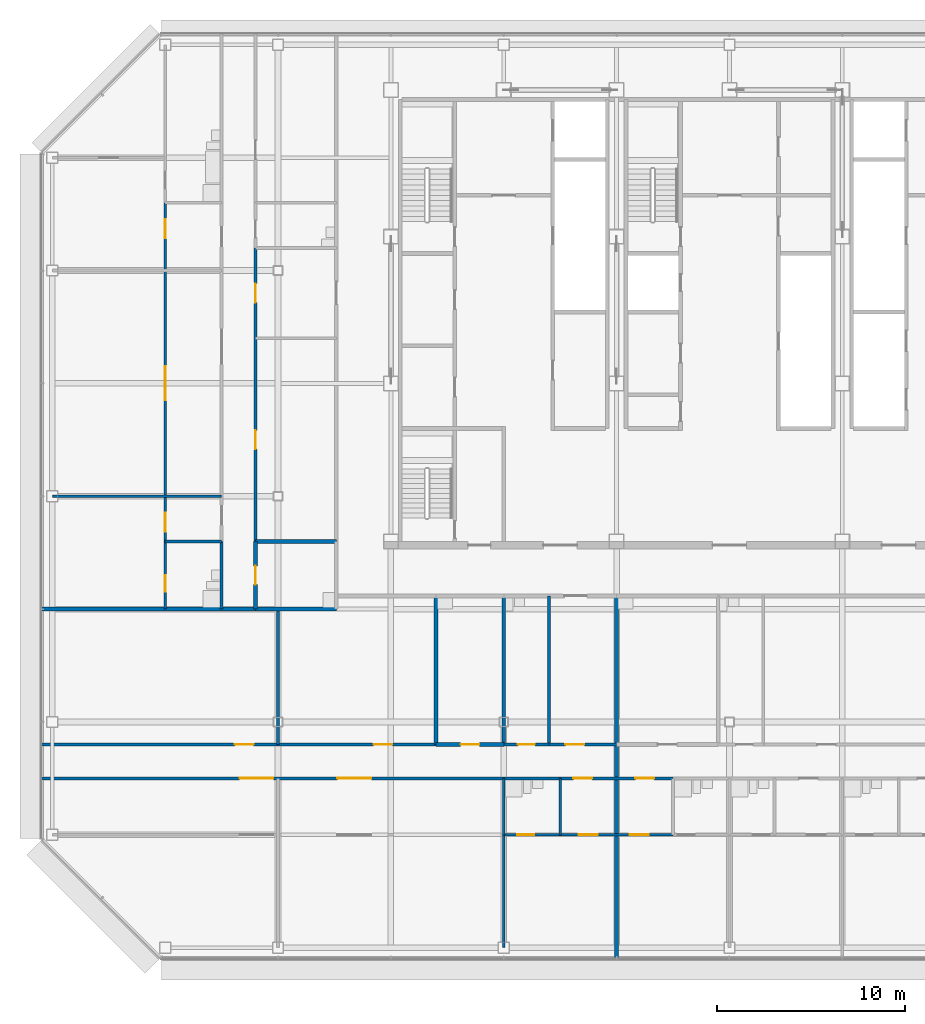
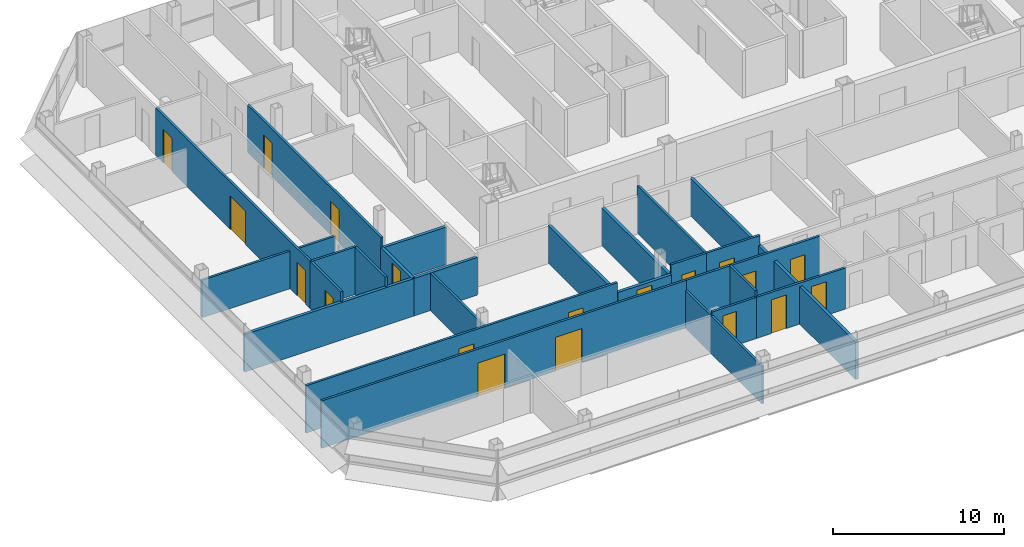
# One storey, part 21 of 28: 28 walls, 19 doors, 19 openings.
"""IFC4 building model written with IfcOpenShell, lengths in metres."""

from ifc_helpers import new_model, si_unit, direction, frame, frame_2d, origin, place, context, subcontext, project, spatial, rectangle, extrude, material, layer, layer_set, type_object, element, fill, save


model = new_model("IFC4")

# Units and contexts
model_context = context("Model", 3, precision=1e-05, world=origin(), true_north=direction((0.0, 1.0)))
body_context = subcontext(model_context, "Body", "Model", "MODEL_VIEW")
ifc_project = project(units=[si_unit("LENGTHUNIT", "METRE"), si_unit("AREAUNIT", "SQUARE_METRE"), si_unit("VOLUMEUNIT", "CUBIC_METRE"), si_unit("PLANEANGLEUNIT", "RADIAN"), si_unit("MASSUNIT", "GRAM", prefix="KILO")], contexts=[model_context])

# Site, building, storey
site_placement = place(None, origin())
site = spatial("IfcSite", under=ifc_project, at=site_placement, CompositionType="ELEMENT")
building_placement = place(site_placement, origin())
building = spatial("IfcBuilding", under=site, at=building_placement, Name="Sorahane Residences", CompositionType="ELEMENT")
storey_placement = place(building_placement, frame((0.0, 0.0, 254.0)))
storey = spatial("IfcBuildingStorey", under=building, at=storey_placement, Name="L60", CompositionType="ELEMENT", Elevation=254.0)

# Wall, opening, door
ifc_material_1 = material(Name="Concrete blockwork C20 wall", Category="masonry")
ifc_layer_1 = layer(ifc_material_1, 0.199951171875)
ifc_layer_set_1 = layer_set([ifc_layer_1], Name="Kitchen wall 200 EI 180")
wall_type_1 = type_object("IfcWallType", Name="Kitchen wall 200 EI 180", PredefinedType="SOLIDWALL", material=ifc_layer_set_1)
wall_1_placement = place(storey_placement, frame((-1.199951171875, 18.0, 0.0), z_axis=(0.0, 0.0, 1.0), x_axis=(0.0, 1.0, 0.0)))
wall_1 = element("IfcWall", 1, at=wall_1_placement, inside=storey, type_object=wall_type_1, Name="L60 kitchen wall", PredefinedType="SOLIDWALL", context=body_context, shape_type="SweptSolid", body=[
    extrude(rectangle(XDim=3.60009765625, YDim=0.199951171875, at=frame_2d((1.800048828125, 0.0))), origin(), (0.0, 0.0, 1.0), 2.679931640625),
])
opening_1_placement = place(wall_1_placement, frame((1.300048828125, 0.0, 0.0)))
opening_1 = element("IfcOpeningElement", 2, at=opening_1_placement, cuts=wall_1, Name="Opening L60-33", PredefinedType="OPENING", context=body_context, shape_type="SweptSolid", body=[
    extrude(rectangle(XDim=1.0, YDim=2.39990234375, at=frame_2d((0.5, 1.199951171875))), frame((0.0, 0.10986328125, 0.0), z_axis=(0.0, -1.0, 0.0), x_axis=(1.0, 0.0, 0.0)), (0.0, 0.0, 1.0), 0.219970703125),
])
ifc_material_2 = material(Name="Steel", Category="steel")
door_type_1 = type_object("IfcDoorType", Name="Kitchen door 1000x2400 FD120", OperationType="NOTDEFINED", PredefinedType="DOOR", material=ifc_material_2)
door_1_placement = place(opening_1_placement, frame((1.0, 0.0, 0.0), z_axis=(0.0, 0.0, 1.0), x_axis=(-1.0, 0.0, 0.0)))
door_1 = element("IfcDoor", 3, at=door_1_placement, inside=storey, type_object=door_type_1, Name="Kitchen door L60-33", OperationType="SINGLE_SWING_RIGHT", OverallHeight=2.39990234375, OverallWidth=1.0, PredefinedType="DOOR", context=body_context, shape_type="SweptSolid", body=[
    extrude(rectangle(XDim=1.0, YDim=2.39990234375, at=frame_2d((0.5, 1.199951171875))), frame((0.0, 0.02490234375, 0.0), z_axis=(0.0, -1.0, 0.0), x_axis=(1.0, 0.0, 0.0)), (0.0, 0.0, 1.0), 0.050048828125),
])
fill(opening_1, door_1)

# Walls
for number, where, z_axis, x_axis, name in (
    (4, (12.0, 10.800048828125, 0.0), (0.0, 0.0, 1.0), (0.0, 1.0, 0.0), "L60 kitchen wall"),
    (5, (18.0, 10.800048828125, 0.0), (0.0, 0.0, 1.0), (0.0, 1.0, 0.0), "L60 kitchen wall"),
    (6, (8.39990234375, 10.800048828125, 0.0), (0.0, 0.0, 1.0), (0.0, 1.0, 0.0), "L60 kitchen wall"),
):
    element("IfcWall", number, at=place(storey_placement, frame(where, z_axis=z_axis, x_axis=x_axis)), inside=storey, type_object=wall_type_1, Name=name, PredefinedType="SOLIDWALL", context=body_context, shape_type="SweptSolid", body=[
        extrude(rectangle(XDim=7.89990234375, YDim=0.199951171875, at=frame_2d((3.949951171875, 0.0))), origin(), (0.0, 0.0, 1.0), 2.679931640625),
    ])

# Wall, opening, door
wall_2_placement = place(storey_placement, frame((8.39990234375, 10.800048828125, 0.0), z_axis=(0.0, 0.0, 1.0), x_axis=(1.0, 0.0, 0.0)))
wall_2 = element("IfcWall", 7, at=wall_2_placement, inside=storey, type_object=wall_type_1, Name="L60 kitchen wall", PredefinedType="SOLIDWALL", context=body_context, shape_type="SweptSolid", body=[
    extrude(rectangle(XDim=3.60009765625, YDim=0.199951171875, at=frame_2d((1.800048828125, 0.0))), origin(), (0.0, 0.0, 1.0), 2.679931640625),
])
opening_2_placement = place(wall_2_placement, frame((1.300048828125, 0.0, 0.0)))
opening_2 = element("IfcOpeningElement", 8, at=opening_2_placement, cuts=wall_2, Name="Opening L60-04", PredefinedType="OPENING", context=body_context, shape_type="SweptSolid", body=[
    extrude(rectangle(XDim=1.0, YDim=2.39990234375, at=frame_2d((0.5, 1.199951171875))), frame((0.0, 0.10986328125, 0.0), z_axis=(0.0, -1.0, 0.0), x_axis=(1.0, 0.0, 0.0)), (0.0, 0.0, 1.0), 0.219970703125),
])
door_2_placement = place(opening_2_placement, origin())
door_2 = element("IfcDoor", 9, at=door_2_placement, inside=storey, type_object=door_type_1, Name="Kitchen door L60-04", OperationType="SINGLE_SWING_LEFT", OverallHeight=2.39990234375, OverallWidth=1.0, PredefinedType="DOOR", context=body_context, shape_type="SweptSolid", body=[
    extrude(rectangle(XDim=1.0, YDim=2.39990234375, at=frame_2d((0.5, 1.199951171875))), frame((0.0, 0.02490234375, 0.0), z_axis=(0.0, -1.0, 0.0), x_axis=(1.0, 0.0, 0.0)), (0.0, 0.0, 1.0), 0.050048828125),
])
fill(opening_2, door_2)

# Walls
for number, where, z_axis, x_axis, name in (
    (10, (-1.199951171875, 18.0, 0.0), (0.0, 0.0, 1.0), (1.0, 0.0, 0.0), "L60 kitchen wall"),
    (11, (-1.199951171875, 21.60009765625, 0.0), (0.0, 0.0, 1.0), (1.0, 0.0, 0.0), "L60 kitchen wall"),
):
    element("IfcWall", number, at=place(storey_placement, frame(where, z_axis=z_axis, x_axis=x_axis)), inside=storey, type_object=wall_type_1, Name=name, PredefinedType="SOLIDWALL", context=body_context, shape_type="SweptSolid", body=[
        extrude(rectangle(XDim=4.300048828125, YDim=0.199951171875, at=frame_2d((2.14990234375, 0.0))), origin(), (0.0, 0.0, 1.0), 2.679931640625),
    ])

# Wall, openings, doors
ifc_material_3 = material(Name="Gypsum board partition on steel studs", Category="steel")
ifc_layer_2 = layer(ifc_material_3, 0.14990234375)
ifc_layer_set_2 = layer_set([ifc_layer_2], Name="Partition 150 EI 90")
wall_type_2 = type_object("IfcWallType", Name="Partition 150 EI 90", PredefinedType="PARTITIONING", material=ifc_layer_set_2)
wall_3_placement = place(storey_placement, frame((-1.199951171875, 21.60009765625, 0.0), z_axis=(0.0, 0.0, 1.0), x_axis=(0.0, 1.0, 0.0)))
wall_3 = element("IfcWall", 12, at=wall_3_placement, inside=storey, type_object=wall_type_2, Name="L60 partition", PredefinedType="PARTITIONING", context=body_context, shape_type="SweptSolid", body=[
    extrude(rectangle(XDim=15.599853515625, YDim=0.14990234375, at=frame_2d((7.7998046875, 0.0))), origin(), (0.0, 0.0, 1.0), 3.3798828125),
])
opening_3_placement = place(wall_3_placement, frame((12.699951171875, 0.0, 0.0)))
opening_3 = element("IfcOpeningElement", 13, at=opening_3_placement, cuts=wall_3, Name="Opening L60-32", PredefinedType="OPENING", context=body_context, shape_type="SweptSolid", body=[
    extrude(rectangle(XDim=1.0, YDim=2.39990234375, at=frame_2d((0.5, 1.199951171875))), frame((0.0, 0.0849609375, 0.0), z_axis=(0.0, -1.0, 0.0), x_axis=(1.0, 0.0, 0.0)), (0.0, 0.0, 1.0), 0.169921875),
])
opening_4_placement = place(wall_3_placement, frame((4.89990234375, 0.0, 0.0)))
opening_4 = element("IfcOpeningElement", 14, at=opening_4_placement, cuts=wall_3, Name="Opening L60-34", PredefinedType="OPENING", context=body_context, shape_type="SweptSolid", body=[
    extrude(rectangle(XDim=1.0, YDim=2.39990234375, at=frame_2d((0.5, 1.199951171875))), frame((0.0, 0.0849609375, 0.0), z_axis=(0.0, -1.0, 0.0), x_axis=(1.0, 0.0, 0.0)), (0.0, 0.0, 1.0), 0.169921875),
])
ifc_material_4 = material(Name="Timber veneered fire door", Category="wood")
door_type_2 = type_object("IfcDoorType", Name="Room door 1000x2400 FD30", OperationType="NOTDEFINED", PredefinedType="DOOR", material=ifc_material_4)
door_3_placement = place(opening_3_placement, origin())
door_3 = element("IfcDoor", 15, at=door_3_placement, inside=storey, type_object=door_type_2, Name="Room door L60-32", OperationType="SINGLE_SWING_RIGHT", OverallHeight=2.39990234375, OverallWidth=1.0, PredefinedType="DOOR", context=body_context, shape_type="SweptSolid", body=[
    extrude(rectangle(XDim=1.0, YDim=2.39990234375, at=frame_2d((0.5, 1.199951171875))), frame((0.0, 0.02490234375, 0.0), z_axis=(0.0, -1.0, 0.0), x_axis=(1.0, 0.0, 0.0)), (0.0, 0.0, 1.0), 0.050048828125),
])
fill(opening_3, door_3)
door_4_placement = place(opening_4_placement, frame((1.0, 0.0, 0.0), z_axis=(0.0, 0.0, 1.0), x_axis=(-1.0, 0.0, 0.0)))
door_4 = element("IfcDoor", 16, at=door_4_placement, inside=storey, type_object=door_type_2, Name="Room door L60-34", OperationType="SINGLE_SWING_RIGHT", OverallHeight=2.39990234375, OverallWidth=1.0, PredefinedType="DOOR", context=body_context, shape_type="SweptSolid", body=[
    extrude(rectangle(XDim=1.0, YDim=2.39990234375, at=frame_2d((0.5, 1.199951171875))), frame((0.0, 0.02490234375, 0.0), z_axis=(0.0, -1.0, 0.0), x_axis=(1.0, 0.0, 0.0)), (0.0, 0.0, 1.0), 0.050048828125),
])
fill(opening_4, door_4)

wall_4_placement = place(storey_placement, frame((-6.0, 21.60009765625, 0.0), z_axis=(0.0, 0.0, 1.0), x_axis=(0.0, 1.0, 0.0)))
wall_4 = element("IfcWall", 17, at=wall_4_placement, inside=storey, type_object=wall_type_2, Name="L60 partition", PredefinedType="PARTITIONING", context=body_context, shape_type="SweptSolid", body=[
    extrude(rectangle(XDim=18.0, YDim=0.14990234375, at=frame_2d((9.0, 0.0))), origin(), (0.0, 0.0, 1.0), 3.3798828125),
])
opening_5_placement = place(wall_4_placement, frame((0.52001953125, 0.0, 0.0)))
opening_5 = element("IfcOpeningElement", 18, at=opening_5_placement, cuts=wall_4, Name="Opening L60-40", PredefinedType="OPENING", context=body_context, shape_type="SweptSolid", body=[
    extrude(rectangle(XDim=1.0, YDim=2.39990234375, at=frame_2d((0.5, 1.199951171875))), frame((0.0, 0.0849609375, 0.0), z_axis=(0.0, -1.0, 0.0), x_axis=(1.0, 0.0, 0.0)), (0.0, 0.0, 1.0), 0.169921875),
])
opening_6_placement = place(wall_4_placement, frame((7.5, 0.0, 0.0)))
opening_6 = element("IfcOpeningElement", 19, at=opening_6_placement, cuts=wall_4, Name="Opening L60-42", PredefinedType="OPENING", context=body_context, shape_type="SweptSolid", body=[
    extrude(rectangle(XDim=1.800048828125, YDim=2.39990234375, at=frame_2d((0.89990234375, 1.199951171875))), frame((0.0, 0.0849609375, 0.0), z_axis=(0.0, -1.0, 0.0), x_axis=(1.0, 0.0, 0.0)), (0.0, 0.0, 1.0), 0.169921875),
])
opening_7_placement = place(wall_4_placement, frame((16.1201171875, 0.0, 0.0)))
opening_7 = element("IfcOpeningElement", 20, at=opening_7_placement, cuts=wall_4, Name="Opening L60-43", PredefinedType="OPENING", context=body_context, shape_type="SweptSolid", body=[
    extrude(rectangle(XDim=1.0, YDim=2.39990234375, at=frame_2d((0.5, 1.199951171875))), frame((0.0, 0.0849609375, 0.0), z_axis=(0.0, -1.0, 0.0), x_axis=(1.0, 0.0, 0.0)), (0.0, 0.0, 1.0), 0.169921875),
])
ifc_material_5 = material(Name="Timber veneered fire door", Category="wood")
door_type_3 = type_object("IfcDoorType", Name="Double door 1800x2400 FD30", OperationType="NOTDEFINED", PredefinedType="DOOR", material=ifc_material_5)
door_5_placement = place(opening_6_placement, origin())
door_5 = element("IfcDoor", 21, at=door_5_placement, inside=storey, type_object=door_type_3, Name="Double door L60-42", OperationType="SINGLE_SWING_LEFT", OverallHeight=2.39990234375, OverallWidth=1.800048828125, PredefinedType="DOOR", context=body_context, shape_type="SweptSolid", body=[
    extrude(rectangle(XDim=1.800048828125, YDim=2.39990234375, at=frame_2d((0.89990234375, 1.199951171875))), frame((0.0, 0.02490234375, 0.0), z_axis=(0.0, -1.0, 0.0), x_axis=(1.0, 0.0, 0.0)), (0.0, 0.0, 1.0), 0.050048828125),
])
fill(opening_6, door_5)
door_6_placement = place(opening_5_placement, origin())
door_6 = element("IfcDoor", 22, at=door_6_placement, inside=storey, type_object=door_type_2, Name="Room door L60-40", OperationType="SINGLE_SWING_RIGHT", OverallHeight=2.39990234375, OverallWidth=1.0, PredefinedType="DOOR", context=body_context, shape_type="SweptSolid", body=[
    extrude(rectangle(XDim=1.0, YDim=2.39990234375, at=frame_2d((0.5, 1.199951171875))), frame((0.0, 0.02490234375, 0.0), z_axis=(0.0, -1.0, 0.0), x_axis=(1.0, 0.0, 0.0)), (0.0, 0.0, 1.0), 0.050048828125),
])
fill(opening_5, door_6)
door_7_placement = place(opening_7_placement, origin())
door_7 = element("IfcDoor", 23, at=door_7_placement, inside=storey, type_object=door_type_2, Name="Room door L60-43", OperationType="SINGLE_SWING_RIGHT", OverallHeight=2.39990234375, OverallWidth=1.0, PredefinedType="DOOR", context=body_context, shape_type="SweptSolid", body=[
    extrude(rectangle(XDim=1.0, YDim=2.39990234375, at=frame_2d((0.5, 1.199951171875))), frame((0.0, 0.02490234375, 0.0), z_axis=(0.0, -1.0, 0.0), x_axis=(1.0, 0.0, 0.0)), (0.0, 0.0, 1.0), 0.050048828125),
])
fill(opening_7, door_7)

# Walls
wall_5_placement = place(storey_placement, frame((0.0, 10.800048828125, 0.0), z_axis=(0.0, 0.0, 1.0), x_axis=(0.0, 1.0, 0.0)))
element("IfcWall", 24, at=wall_5_placement, inside=storey, type_object=wall_type_2, Name="L60 partition", PredefinedType="PARTITIONING", context=body_context, shape_type="SweptSolid", body=[
    extrude(rectangle(XDim=7.199951171875, YDim=0.14990234375, at=frame_2d((3.60009765625, 0.0))), origin(), (0.0, 0.0, 1.0), 2.679931640625),
])
wall_6_placement = place(storey_placement, frame((12.0, 0.0, 0.0), z_axis=(0.0, 0.0, 1.0), x_axis=(0.0, 1.0, 0.0)))
element("IfcWall", 25, at=wall_6_placement, inside=storey, type_object=wall_type_2, Name="L60 partition", PredefinedType="PARTITIONING", context=body_context, shape_type="SweptSolid", body=[
    extrude(rectangle(XDim=6.0, YDim=0.14990234375, at=frame_2d((3.0, 0.0))), origin(), (0.0, 0.0, 1.0), 2.679931640625),
])

# Wall, openings, doors
wall_7_placement = place(storey_placement, frame((-12.60009765625, 10.800048828125, 0.0), z_axis=(0.0, 0.0, 1.0), x_axis=(1.0, 0.0, 0.0)))
wall_7 = element("IfcWall", 26, at=wall_7_placement, inside=storey, type_object=wall_type_2, Name="L60 partition", PredefinedType="PARTITIONING", context=body_context, shape_type="SweptSolid", body=[
    extrude(rectangle(XDim=21.0, YDim=0.14990234375, at=frame_2d((10.5, 0.0))), origin(), (0.0, 0.0, 1.0), 3.3798828125),
])
opening_8_placement = place(wall_7_placement, frame((10.300048828125, 0.0, 0.0)))
opening_8 = element("IfcOpeningElement", 27, at=opening_8_placement, cuts=wall_7, Name="Opening L60-02", PredefinedType="OPENING", context=body_context, shape_type="SweptSolid", body=[
    extrude(rectangle(XDim=1.0, YDim=2.39990234375, at=frame_2d((0.5, 1.199951171875))), frame((0.0, 0.0849609375, 0.0), z_axis=(0.0, -1.0, 0.0), x_axis=(1.0, 0.0, 0.0)), (0.0, 0.0, 1.0), 0.169921875),
])
opening_9_placement = place(wall_7_placement, frame((17.679931640625, 0.0, 0.0)))
opening_9 = element("IfcOpeningElement", 28, at=opening_9_placement, cuts=wall_7, Name="Opening L60-03", PredefinedType="OPENING", context=body_context, shape_type="SweptSolid", body=[
    extrude(rectangle(XDim=1.0, YDim=2.39990234375, at=frame_2d((0.5, 1.199951171875))), frame((0.0, 0.0849609375, 0.0), z_axis=(0.0, -1.0, 0.0), x_axis=(1.0, 0.0, 0.0)), (0.0, 0.0, 1.0), 0.169921875),
])
door_8_placement = place(opening_8_placement, origin())
door_8 = element("IfcDoor", 29, at=door_8_placement, inside=storey, type_object=door_type_2, Name="Room door L60-02", OperationType="SINGLE_SWING_LEFT", OverallHeight=2.39990234375, OverallWidth=1.0, PredefinedType="DOOR", context=body_context, shape_type="SweptSolid", body=[
    extrude(rectangle(XDim=1.0, YDim=2.39990234375, at=frame_2d((0.5, 1.199951171875))), frame((0.0, 0.02490234375, 0.0), z_axis=(0.0, -1.0, 0.0), x_axis=(1.0, 0.0, 0.0)), (0.0, 0.0, 1.0), 0.050048828125),
])
fill(opening_8, door_8)
door_9_placement = place(opening_9_placement, origin())
door_9 = element("IfcDoor", 30, at=door_9_placement, inside=storey, type_object=door_type_2, Name="Room door L60-03", OperationType="SINGLE_SWING_LEFT", OverallHeight=2.39990234375, OverallWidth=1.0, PredefinedType="DOOR", context=body_context, shape_type="SweptSolid", body=[
    extrude(rectangle(XDim=1.0, YDim=2.39990234375, at=frame_2d((0.5, 1.199951171875))), frame((0.0, 0.02490234375, 0.0), z_axis=(0.0, -1.0, 0.0), x_axis=(1.0, 0.0, 0.0)), (0.0, 0.0, 1.0), 0.050048828125),
])
fill(opening_9, door_9)

# Wall, opening, door
wall_8_placement = place(storey_placement, frame((14.39990234375, 10.800048828125, 0.0), z_axis=(0.0, 0.0, 1.0), x_axis=(1.0, 0.0, 0.0)))
wall_8 = element("IfcWall", 31, at=wall_8_placement, inside=storey, type_object=wall_type_2, Name="L60 partition", PredefinedType="PARTITIONING", context=body_context, shape_type="SweptSolid", body=[
    extrude(rectangle(XDim=3.60009765625, YDim=0.14990234375, at=frame_2d((1.800048828125, 0.0))), origin(), (0.0, 0.0, 1.0), 3.3798828125),
])
opening_10_placement = place(wall_8_placement, frame((0.8798828125, 0.0, 0.0)))
opening_10 = element("IfcOpeningElement", 32, at=opening_10_placement, cuts=wall_8, Name="Opening L60-01", PredefinedType="OPENING", context=body_context, shape_type="SweptSolid", body=[
    extrude(rectangle(XDim=1.0, YDim=2.39990234375, at=frame_2d((0.5, 1.199951171875))), frame((0.0, 0.0849609375, 0.0), z_axis=(0.0, -1.0, 0.0), x_axis=(1.0, 0.0, 0.0)), (0.0, 0.0, 1.0), 0.169921875),
])
door_10_placement = place(opening_10_placement, frame((1.0, 0.0, 0.0), z_axis=(0.0, 0.0, 1.0), x_axis=(-1.0, 0.0, 0.0)))
door_10 = element("IfcDoor", 33, at=door_10_placement, inside=storey, type_object=door_type_2, Name="Room door L60-01", OperationType="SINGLE_SWING_RIGHT", OverallHeight=2.39990234375, OverallWidth=1.0, PredefinedType="DOOR", context=body_context, shape_type="SweptSolid", body=[
    extrude(rectangle(XDim=1.0, YDim=2.39990234375, at=frame_2d((0.5, 1.199951171875))), frame((0.0, 0.02490234375, 0.0), z_axis=(0.0, -1.0, 0.0), x_axis=(1.0, 0.0, 0.0)), (0.0, 0.0, 1.0), 0.050048828125),
])
fill(opening_10, door_10)

# Wall
wall_9_placement = place(storey_placement, frame((-12.0, 24.0, 0.0), z_axis=(0.0, 0.0, 1.0), x_axis=(1.0, 0.0, 0.0)))
element("IfcWall", 34, at=wall_9_placement, inside=storey, type_object=wall_type_2, Name="L60 partition", PredefinedType="PARTITIONING", context=body_context, shape_type="SweptSolid", body=[
    extrude(rectangle(XDim=9.0, YDim=0.14990234375, at=frame_2d((4.5, 0.0))), origin(), (0.0, 0.0, 1.0), 2.679931640625),
])

# Wall, openings, doors
wall_10_placement = place(storey_placement, frame((15.0, 6.0, 0.0), z_axis=(0.0, 0.0, 1.0), x_axis=(1.0, 0.0, 0.0)))
wall_10 = element("IfcWall", 35, at=wall_10_placement, inside=storey, type_object=wall_type_2, Name="L60 partition", PredefinedType="PARTITIONING", context=body_context, shape_type="SweptSolid", body=[
    extrude(rectangle(XDim=6.0, YDim=0.14990234375, at=frame_2d((3.0, 0.0))), origin(), (0.0, 0.0, 1.0), 2.929931640625),
])
opening_11_placement = place(wall_10_placement, frame((1.0, 0.0, 0.0)))
opening_11 = element("IfcOpeningElement", 36, at=opening_11_placement, cuts=wall_10, Name="Opening L60-11", PredefinedType="OPENING", context=body_context, shape_type="SweptSolid", body=[
    extrude(rectangle(XDim=1.0, YDim=2.39990234375, at=frame_2d((0.5, 1.199951171875))), frame((0.0, 0.0849609375, 0.0), z_axis=(0.0, -1.0, 0.0), x_axis=(1.0, 0.0, 0.0)), (0.0, 0.0, 1.0), 0.169921875),
])
opening_12_placement = place(wall_10_placement, frame((3.699951171875, 0.0, 0.0)))
opening_12 = element("IfcOpeningElement", 37, at=opening_12_placement, cuts=wall_10, Name="Opening L60-23", PredefinedType="OPENING", context=body_context, shape_type="SweptSolid", body=[
    extrude(rectangle(XDim=1.0, YDim=2.39990234375, at=frame_2d((0.5, 1.199951171875))), frame((0.0, 0.0849609375, 0.0), z_axis=(0.0, -1.0, 0.0), x_axis=(1.0, 0.0, 0.0)), (0.0, 0.0, 1.0), 0.169921875),
])
door_11_placement = place(opening_11_placement, frame((1.0, 0.0, 0.0), z_axis=(0.0, 0.0, 1.0), x_axis=(-1.0, 0.0, 0.0)))
door_11 = element("IfcDoor", 38, at=door_11_placement, inside=storey, type_object=door_type_2, Name="Room door L60-11", OperationType="SINGLE_SWING_RIGHT", OverallHeight=2.39990234375, OverallWidth=1.0, PredefinedType="DOOR", context=body_context, shape_type="SweptSolid", body=[
    extrude(rectangle(XDim=1.0, YDim=2.39990234375, at=frame_2d((0.5, 1.199951171875))), frame((0.0, 0.02490234375, 0.0), z_axis=(0.0, -1.0, 0.0), x_axis=(1.0, 0.0, 0.0)), (0.0, 0.0, 1.0), 0.050048828125),
])
fill(opening_11, door_11)
door_12_placement = place(opening_12_placement, frame((1.0, 0.0, 0.0), z_axis=(0.0, 0.0, 1.0), x_axis=(-1.0, 0.0, 0.0)))
door_12 = element("IfcDoor", 39, at=door_12_placement, inside=storey, type_object=door_type_2, Name="Room door L60-23", OperationType="SINGLE_SWING_RIGHT", OverallHeight=2.39990234375, OverallWidth=1.0, PredefinedType="DOOR", context=body_context, shape_type="SweptSolid", body=[
    extrude(rectangle(XDim=1.0, YDim=2.39990234375, at=frame_2d((0.5, 1.199951171875))), frame((0.0, 0.02490234375, 0.0), z_axis=(0.0, -1.0, 0.0), x_axis=(1.0, 0.0, 0.0)), (0.0, 0.0, 1.0), 0.050048828125),
])
fill(opening_12, door_12)

wall_11_placement = place(storey_placement, frame((-12.60009765625, 9.0, 0.0), z_axis=(0.0, 0.0, 1.0), x_axis=(1.0, 0.0, 0.0)))
wall_11 = element("IfcWall", 40, at=wall_11_placement, inside=storey, type_object=wall_type_2, Name="L60 partition", PredefinedType="PARTITIONING", context=body_context, shape_type="SweptSolid", body=[
    extrude(rectangle(XDim=24.60009765625, YDim=0.14990234375, at=frame_2d((12.300048828125, 0.0))), origin(), (0.0, 0.0, 1.0), 3.3798828125),
])
opening_13_placement = place(wall_11_placement, frame((10.550048828125, 0.0, 0.0)))
opening_13 = element("IfcOpeningElement", 41, at=opening_13_placement, cuts=wall_11, Name="Opening L60-06", PredefinedType="OPENING", context=body_context, shape_type="SweptSolid", body=[
    extrude(rectangle(XDim=1.800048828125, YDim=2.39990234375, at=frame_2d((0.89990234375, 1.199951171875))), frame((0.0, 0.0849609375, 0.0), z_axis=(0.0, -1.0, 0.0), x_axis=(1.0, 0.0, 0.0)), (0.0, 0.0, 1.0), 0.169921875),
])
opening_14_placement = place(wall_11_placement, frame((15.760009765625, 0.0, 0.0)))
opening_14 = element("IfcOpeningElement", 42, at=opening_14_placement, cuts=wall_11, Name="Opening L60-07", PredefinedType="OPENING", context=body_context, shape_type="SweptSolid", body=[
    extrude(rectangle(XDim=1.800048828125, YDim=2.39990234375, at=frame_2d((0.89990234375, 1.199951171875))), frame((0.0, 0.0849609375, 0.0), z_axis=(0.0, -1.0, 0.0), x_axis=(1.0, 0.0, 0.0)), (0.0, 0.0, 1.0), 0.169921875),
])
door_13_placement = place(opening_13_placement, frame((1.800048828125, 0.0, 0.0), z_axis=(0.0, 0.0, 1.0), x_axis=(-1.0, 0.0, 0.0)))
door_13 = element("IfcDoor", 43, at=door_13_placement, inside=storey, type_object=door_type_3, Name="Double door L60-06", OperationType="SINGLE_SWING_RIGHT", OverallHeight=2.39990234375, OverallWidth=1.800048828125, PredefinedType="DOOR", context=body_context, shape_type="SweptSolid", body=[
    extrude(rectangle(XDim=1.800048828125, YDim=2.39990234375, at=frame_2d((0.89990234375, 1.199951171875))), frame((0.0, 0.02490234375, 0.0), z_axis=(0.0, -1.0, 0.0), x_axis=(1.0, 0.0, 0.0)), (0.0, 0.0, 1.0), 0.050048828125),
])
fill(opening_13, door_13)
door_14_placement = place(opening_14_placement, frame((1.800048828125, 0.0, 0.0), z_axis=(0.0, 0.0, 1.0), x_axis=(-1.0, 0.0, 0.0)))
door_14 = element("IfcDoor", 44, at=door_14_placement, inside=storey, type_object=door_type_3, Name="Double door L60-07", OperationType="SINGLE_SWING_LEFT", OverallHeight=2.39990234375, OverallWidth=1.800048828125, PredefinedType="DOOR", context=body_context, shape_type="SweptSolid", body=[
    extrude(rectangle(XDim=1.800048828125, YDim=2.39990234375, at=frame_2d((0.89990234375, 1.199951171875))), frame((0.0, 0.02490234375, 0.0), z_axis=(0.0, -1.0, 0.0), x_axis=(1.0, 0.0, 0.0)), (0.0, 0.0, 1.0), 0.050048828125),
])
fill(opening_14, door_14)

wall_12_placement = place(storey_placement, frame((15.0, 9.0, 0.0), z_axis=(0.0, 0.0, 1.0), x_axis=(1.0, 0.0, 0.0)))
wall_12 = element("IfcWall", 45, at=wall_12_placement, inside=storey, type_object=wall_type_2, Name="L60 partition", PredefinedType="PARTITIONING", context=body_context, shape_type="SweptSolid", body=[
    extrude(rectangle(XDim=6.0, YDim=0.14990234375, at=frame_2d((3.0, 0.0))), origin(), (0.0, 0.0, 1.0), 3.3798828125),
])
opening_15_placement = place(wall_12_placement, frame((0.699951171875, 0.0, 0.0)))
opening_15 = element("IfcOpeningElement", 46, at=opening_15_placement, cuts=wall_12, Name="Opening L60-08", PredefinedType="OPENING", context=body_context, shape_type="SweptSolid", body=[
    extrude(rectangle(XDim=1.0, YDim=2.39990234375, at=frame_2d((0.5, 1.199951171875))), frame((0.0, 0.0849609375, 0.0), z_axis=(0.0, -1.0, 0.0), x_axis=(1.0, 0.0, 0.0)), (0.0, 0.0, 1.0), 0.169921875),
])
opening_16_placement = place(wall_12_placement, frame((4.0, 0.0, 0.0)))
opening_16 = element("IfcOpeningElement", 47, at=opening_16_placement, cuts=wall_12, Name="Opening L60-18", PredefinedType="OPENING", context=body_context, shape_type="SweptSolid", body=[
    extrude(rectangle(XDim=1.0, YDim=2.39990234375, at=frame_2d((0.5, 1.199951171875))), frame((0.0, 0.0849609375, 0.0), z_axis=(0.0, -1.0, 0.0), x_axis=(1.0, 0.0, 0.0)), (0.0, 0.0, 1.0), 0.169921875),
])
door_15_placement = place(opening_15_placement, frame((1.0, 0.0, 0.0), z_axis=(0.0, 0.0, 1.0), x_axis=(-1.0, 0.0, 0.0)))
door_15 = element("IfcDoor", 48, at=door_15_placement, inside=storey, type_object=door_type_2, Name="Room door L60-08", OperationType="SINGLE_SWING_RIGHT", OverallHeight=2.39990234375, OverallWidth=1.0, PredefinedType="DOOR", context=body_context, shape_type="SweptSolid", body=[
    extrude(rectangle(XDim=1.0, YDim=2.39990234375, at=frame_2d((0.5, 1.199951171875))), frame((0.0, 0.02490234375, 0.0), z_axis=(0.0, -1.0, 0.0), x_axis=(1.0, 0.0, 0.0)), (0.0, 0.0, 1.0), 0.050048828125),
])
fill(opening_15, door_15)
door_16_placement = place(opening_16_placement, frame((1.0, 0.0, 0.0), z_axis=(0.0, 0.0, 1.0), x_axis=(-1.0, 0.0, 0.0)))
door_16 = element("IfcDoor", 49, at=door_16_placement, inside=storey, type_object=door_type_2, Name="Room door L60-18", OperationType="SINGLE_SWING_LEFT", OverallHeight=2.39990234375, OverallWidth=1.0, PredefinedType="DOOR", context=body_context, shape_type="SweptSolid", body=[
    extrude(rectangle(XDim=1.0, YDim=2.39990234375, at=frame_2d((0.5, 1.199951171875))), frame((0.0, 0.02490234375, 0.0), z_axis=(0.0, -1.0, 0.0), x_axis=(1.0, 0.0, 0.0)), (0.0, 0.0, 1.0), 0.050048828125),
])
fill(opening_16, door_16)

# Walls
ifc_material_6 = material(Name="Concrete blockwork C20 wall", Category="masonry")
ifc_layer_3 = layer(ifc_material_6, 0.199951171875)
ifc_layer_set_3 = layer_set([ifc_layer_3], Name="Party wall 200 EI 120")
wall_type_3 = type_object("IfcWallType", Name="Party wall 200 EI 120", PredefinedType="SOLIDWALL", material=ifc_layer_set_3)
for number, where, z_axis, x_axis, name in (
    (50, (18.0, -0.60009765625, 0.0), (0.0, 0.0, 1.0), (0.0, 1.0, 0.0), "L60 party wall"),
    (51, (-12.60009765625, 18.0, 0.0), (0.0, 0.0, 1.0), (1.0, 0.0, 0.0), "L60 party wall"),
):
    element("IfcWall", number, at=place(storey_placement, frame(where, z_axis=z_axis, x_axis=x_axis)), inside=storey, type_object=wall_type_3, Name=name, PredefinedType="SOLIDWALL", context=body_context, shape_type="SweptSolid", body=[
        extrude(rectangle(XDim=11.400146484375, YDim=0.199951171875, at=frame_2d((5.7001953125, 0.0))), origin(), (0.0, 0.0, 1.0), 2.679931640625),
    ])
ifc_material_7 = material(Name="Gypsum board partition on steel studs", Category="steel")
ifc_layer_4 = layer(ifc_material_7, 0.14990234375)
ifc_layer_set_4 = layer_set([ifc_layer_4], Name="Wet wall 150 EI 90")
wall_type_4 = type_object("IfcWallType", Name="Wet wall 150 EI 90", PredefinedType="PARTITIONING", material=ifc_layer_set_4)
wall_13_placement = place(storey_placement, frame((-3.0, 18.0, 0.0), z_axis=(0.0, 0.0, 1.0), x_axis=(0.0, 1.0, 0.0)))
element("IfcWall", 52, at=wall_13_placement, inside=storey, type_object=wall_type_4, Name="L60 wet wall", PredefinedType="PARTITIONING", context=body_context, shape_type="SweptSolid", body=[
    extrude(rectangle(XDim=3.60009765625, YDim=0.14990234375, at=frame_2d((1.800048828125, 0.0))), origin(), (0.0, 0.0, 1.0), 3.3798828125),
])

# Wall, opening, door
wall_14_placement = place(storey_placement, frame((-6.0, 18.0, 0.0), z_axis=(0.0, 0.0, 1.0), x_axis=(0.0, 1.0, 0.0)))
wall_14 = element("IfcWall", 53, at=wall_14_placement, inside=storey, type_object=wall_type_4, Name="L60 wet wall", PredefinedType="PARTITIONING", context=body_context, shape_type="SweptSolid", body=[
    extrude(rectangle(XDim=3.60009765625, YDim=0.14990234375, at=frame_2d((1.800048828125, 0.0))), origin(), (0.0, 0.0, 1.0), 3.3798828125),
])
opening_17_placement = place(wall_14_placement, frame((0.909912109375, 0.0, 0.0)))
opening_17 = element("IfcOpeningElement", 54, at=opening_17_placement, cuts=wall_14, Name="Opening L60-41", PredefinedType="OPENING", context=body_context, shape_type="SweptSolid", body=[
    extrude(rectangle(XDim=0.89990234375, YDim=2.39990234375, at=frame_2d((0.449951171875, 1.199951171875))), frame((0.0, 0.0849609375, 0.0), z_axis=(0.0, -1.0, 0.0), x_axis=(1.0, 0.0, 0.0)), (0.0, 0.0, 1.0), 0.169921875),
])
ifc_material_8 = material(Name="Timber veneered fire door", Category="wood")
door_type_4 = type_object("IfcDoorType", Name="Bathroom door 900x2400 FD30", OperationType="NOTDEFINED", PredefinedType="DOOR", material=ifc_material_8)
door_17_placement = place(opening_17_placement, origin())
door_17 = element("IfcDoor", 55, at=door_17_placement, inside=storey, type_object=door_type_4, Name="Bathroom door L60-41", OperationType="SINGLE_SWING_LEFT", OverallHeight=2.39990234375, OverallWidth=0.89990234375, PredefinedType="DOOR", context=body_context, shape_type="SweptSolid", body=[
    extrude(rectangle(XDim=0.89990234375, YDim=2.39990234375, at=frame_2d((0.449951171875, 1.199951171875))), frame((0.0, 0.02490234375, 0.0), z_axis=(0.0, -1.0, 0.0), x_axis=(1.0, 0.0, 0.0)), (0.0, 0.0, 1.0), 0.050048828125),
])
fill(opening_17, door_17)

# Walls
wall_15_placement = place(storey_placement, frame((12.0, 6.0, 0.0), z_axis=(0.0, 0.0, 1.0), x_axis=(0.0, 1.0, 0.0)))
element("IfcWall", 56, at=wall_15_placement, inside=storey, type_object=wall_type_4, Name="L60 wet wall", PredefinedType="PARTITIONING", context=body_context, shape_type="SweptSolid", body=[
    extrude(rectangle(XDim=3.0, YDim=0.14990234375, at=frame_2d((1.5, 0.0))), origin(), (0.0, 0.0, 1.0), 2.679931640625),
])
wall_16_placement = place(storey_placement, frame((14.39990234375, 10.800048828125, 0.0), z_axis=(0.0, 0.0, 1.0), x_axis=(0.0, 1.0, 0.0)))
element("IfcWall", 57, at=wall_16_placement, inside=storey, type_object=wall_type_4, Name="L60 wet wall", PredefinedType="PARTITIONING", context=body_context, shape_type="SweptSolid", body=[
    extrude(rectangle(XDim=7.89990234375, YDim=0.14990234375, at=frame_2d((3.949951171875, 0.0))), origin(), (0.0, 0.0, 1.0), 3.3798828125),
])
wall_17_placement = place(storey_placement, frame((15.0, 6.0, 0.0), z_axis=(0.0, 0.0, 1.0), x_axis=(0.0, 1.0, 0.0)))
element("IfcWall", 58, at=wall_17_placement, inside=storey, type_object=wall_type_4, Name="L60 wet wall", PredefinedType="PARTITIONING", context=body_context, shape_type="SweptSolid", body=[
    extrude(rectangle(XDim=3.0, YDim=0.14990234375, at=frame_2d((1.5, 0.0))), origin(), (0.0, 0.0, 1.0), 3.3798828125),
])

# Wall, opening, door
wall_18_placement = place(storey_placement, frame((12.0, 10.800048828125, 0.0), z_axis=(0.0, 0.0, 1.0), x_axis=(1.0, 0.0, 0.0)))
wall_18 = element("IfcWall", 59, at=wall_18_placement, inside=storey, type_object=wall_type_4, Name="L60 wet wall", PredefinedType="PARTITIONING", context=body_context, shape_type="SweptSolid", body=[
    extrude(rectangle(XDim=2.39990234375, YDim=0.14990234375, at=frame_2d((1.199951171875, 0.0))), origin(), (0.0, 0.0, 1.0), 3.3798828125),
])
opening_18_placement = place(wall_18_placement, frame((0.75, 0.0, 0.0)))
opening_18 = element("IfcOpeningElement", 60, at=opening_18_placement, cuts=wall_18, Name="Opening L60-05", PredefinedType="OPENING", context=body_context, shape_type="SweptSolid", body=[
    extrude(rectangle(XDim=0.89990234375, YDim=2.39990234375, at=frame_2d((0.449951171875, 1.199951171875))), frame((0.0, 0.0849609375, 0.0), z_axis=(0.0, -1.0, 0.0), x_axis=(1.0, 0.0, 0.0)), (0.0, 0.0, 1.0), 0.169921875),
])
door_18_placement = place(opening_18_placement, frame((0.89990234375, 0.0, 0.0), z_axis=(0.0, 0.0, 1.0), x_axis=(-1.0, 0.0, 0.0)))
door_18 = element("IfcDoor", 61, at=door_18_placement, inside=storey, type_object=door_type_4, Name="Bathroom door L60-05", OperationType="SINGLE_SWING_RIGHT", OverallHeight=2.39990234375, OverallWidth=0.89990234375, PredefinedType="DOOR", context=body_context, shape_type="SweptSolid", body=[
    extrude(rectangle(XDim=0.89990234375, YDim=2.39990234375, at=frame_2d((0.449951171875, 1.199951171875))), frame((0.0, 0.02490234375, 0.0), z_axis=(0.0, -1.0, 0.0), x_axis=(1.0, 0.0, 0.0)), (0.0, 0.0, 1.0), 0.050048828125),
])
fill(opening_18, door_18)

# Wall
wall_19_placement = place(storey_placement, frame((-6.0, 21.60009765625, 0.0), z_axis=(0.0, 0.0, 1.0), x_axis=(1.0, 0.0, 0.0)))
element("IfcWall", 62, at=wall_19_placement, inside=storey, type_object=wall_type_4, Name="L60 wet wall", PredefinedType="PARTITIONING", context=body_context, shape_type="SweptSolid", body=[
    extrude(rectangle(XDim=3.0, YDim=0.14990234375, at=frame_2d((1.5, 0.0))), origin(), (0.0, 0.0, 1.0), 3.3798828125),
])

# Wall, opening, door
wall_20_placement = place(storey_placement, frame((12.0, 6.0, 0.0), z_axis=(0.0, 0.0, 1.0), x_axis=(1.0, 0.0, 0.0)))
wall_20 = element("IfcWall", 63, at=wall_20_placement, inside=storey, type_object=wall_type_4, Name="L60 wet wall", PredefinedType="PARTITIONING", context=body_context, shape_type="SweptSolid", body=[
    extrude(rectangle(XDim=3.0, YDim=0.14990234375, at=frame_2d((1.5, 0.0))), origin(), (0.0, 0.0, 1.0), 2.929931640625),
])
opening_19_placement = place(wall_20_placement, frame((0.72998046875, 0.0, 0.0)))
opening_19 = element("IfcOpeningElement", 64, at=opening_19_placement, cuts=wall_20, Name="Opening L60-12", PredefinedType="OPENING", context=body_context, shape_type="SweptSolid", body=[
    extrude(rectangle(XDim=0.89990234375, YDim=2.39990234375, at=frame_2d((0.449951171875, 1.199951171875))), frame((0.0, 0.0849609375, 0.0), z_axis=(0.0, -1.0, 0.0), x_axis=(1.0, 0.0, 0.0)), (0.0, 0.0, 1.0), 0.169921875),
])
door_19_placement = place(opening_19_placement, frame((0.89990234375, 0.0, 0.0), z_axis=(0.0, 0.0, 1.0), x_axis=(-1.0, 0.0, 0.0)))
door_19 = element("IfcDoor", 65, at=door_19_placement, inside=storey, type_object=door_type_4, Name="Bathroom door L60-12", OperationType="SINGLE_SWING_RIGHT", OverallHeight=2.39990234375, OverallWidth=0.89990234375, PredefinedType="DOOR", context=body_context, shape_type="SweptSolid", body=[
    extrude(rectangle(XDim=0.89990234375, YDim=2.39990234375, at=frame_2d((0.449951171875, 1.199951171875))), frame((0.0, 0.02490234375, 0.0), z_axis=(0.0, -1.0, 0.0), x_axis=(1.0, 0.0, 0.0)), (0.0, 0.0, 1.0), 0.050048828125),
])
fill(opening_19, door_19)

# Wall
wall_21_placement = place(storey_placement, frame((12.0, 9.0, 0.0), z_axis=(0.0, 0.0, 1.0), x_axis=(1.0, 0.0, 0.0)))
element("IfcWall", 66, at=wall_21_placement, inside=storey, type_object=wall_type_4, Name="L60 wet wall", PredefinedType="PARTITIONING", context=body_context, shape_type="SweptSolid", body=[
    extrude(rectangle(XDim=3.0, YDim=0.14990234375, at=frame_2d((1.5, 0.0))), origin(), (0.0, 0.0, 1.0), 3.3798828125),
])

save(model, "model.ifc")
